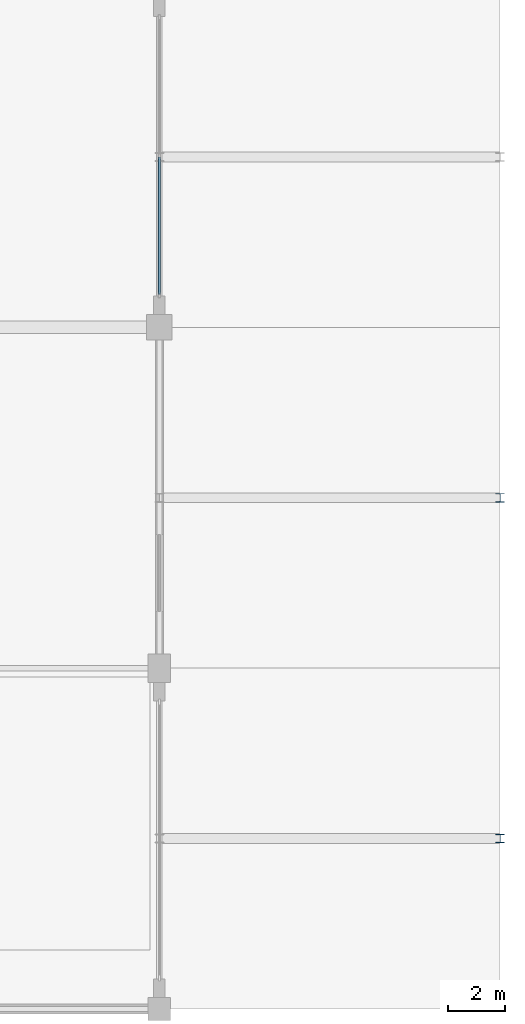
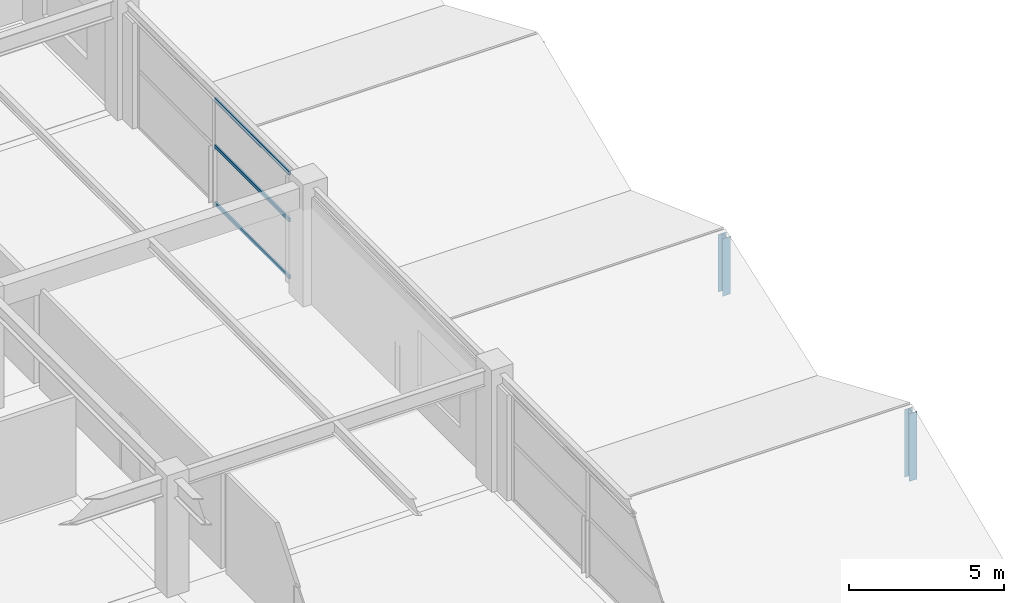
# One storey, part 39 of 134: 5 members, 1 element without a shape of its own.
"""IFC4 building model written with IfcOpenShell, lengths in metres."""

from ifc_helpers import new_model, si_unit, direction, frame, origin, origin_2d, place, context, subcontext, project, spatial, rectangle, i_section, extrude, material, layer, layer_set, material_profile, profile_set, type_object, element, aggregate, save


model = new_model("IFC4")

# Units and contexts
model_context = context("Model", 3, precision=1e-05, world=origin(), true_north=direction((0.0, 1.0)))
body_context = subcontext(model_context, "Body", "Model", "MODEL_VIEW")
ifc_project = project(units=[si_unit("LENGTHUNIT", "METRE"), si_unit("AREAUNIT", "SQUARE_METRE"), si_unit("VOLUMEUNIT", "CUBIC_METRE"), si_unit("PLANEANGLEUNIT", "RADIAN"), si_unit("MASSUNIT", "GRAM", prefix="KILO")], contexts=[model_context])

# Site, building, storey
site_placement = place(None, origin())
site = spatial("IfcSite", under=ifc_project, at=site_placement, CompositionType="ELEMENT")
building_placement = place(site_placement, origin())
building = spatial("IfcBuilding", under=site, at=building_placement, Name="Kazenohara Klinker Stadium", CompositionType="ELEMENT")
storey_placement = place(building_placement, frame((0.0, 0.0, 5.39990234375)))
storey = spatial("IfcBuildingStorey", under=building, at=storey_placement, Name="L01", CompositionType="ELEMENT", Elevation=5.39990234375)

# Curtain wall, members
ifc_material_1 = material(Name="Anodised aluminium and triple glazing", Category="aluminium")
ifc_layer = layer(ifc_material_1, 0.199951171875)
ifc_layer_set = layer_set([ifc_layer], Name="Anodised aluminium and triple glazing")
curtain_wall_type = type_object("IfcCurtainWallType", Name="CW-SYS-03", PredefinedType="USERDEFINED", material=ifc_layer_set)
curtain_wall_placement = place(storey_placement, origin())
curtain_wall = element("IfcCurtainWall", 1, at=curtain_wall_placement, inside=storey, type_object=curtain_wall_type, Name="Unitised facade curtain wall CW03 L01 Y17-5", ObjectType="UNITISED CURTAIN WALL", PredefinedType="USERDEFINED")
ifc_material_2 = material(Name="Anodised aluminium 6063-T6", Category="aluminium")
ifc_material_profile_1 = material_profile(ifc_material_2, rectangle(XDim=0.06494140625, YDim=0.139892578125, at=origin_2d()), Name="ALU-TRN-65x140")
ifc_profile_set_1 = profile_set([ifc_material_profile_1], Name="Anodised aluminium 6063-T6")
member_type_1 = type_object("IfcMemberType", Name="CW-TRN-140", PredefinedType="USERDEFINED", material=ifc_profile_set_1)
member_1_placement = place(storey_placement, frame((212.0, 61.1689453125, 0.03271484375), z_axis=(0.0, 1.0, 0.0), x_axis=(-1.0, 0.0, 0.0)))
member_1 = element("IfcMember", 2, at=member_1_placement, type_object=member_type_1, Name="CW03 transom 1.1", ObjectType="TRANSOM", PredefinedType="USERDEFINED", context=body_context, shape_type="SweptSolid", body=[
    extrude(rectangle(XDim=0.06494140625, YDim=0.139892578125, at=origin_2d()), origin(), (0.0, 0.0, 1.0), 4.823486328125),
])
member_2_placement = place(storey_placement, frame((212.0, 61.1689453125, 2.28271484375), z_axis=(0.0, 1.0, 0.0), x_axis=(-1.0, 0.0, 0.0)))
member_2 = element("IfcMember", 3, at=member_2_placement, type_object=member_type_1, Name="CW03 transom 1.2", ObjectType="TRANSOM", PredefinedType="USERDEFINED", context=body_context, shape_type="SweptSolid", body=[
    extrude(rectangle(XDim=0.06494140625, YDim=0.139892578125, at=origin_2d()), origin(), (0.0, 0.0, 1.0), 4.823486328125),
])
member_3_placement = place(storey_placement, frame((212.0, 61.1689453125, 4.11767578125), z_axis=(0.0, 1.0, 0.0), x_axis=(-1.0, 0.0, 0.0)))
member_3 = element("IfcMember", 4, at=member_3_placement, type_object=member_type_1, Name="CW03 transom 1.3", ObjectType="TRANSOM", PredefinedType="USERDEFINED", context=body_context, shape_type="SweptSolid", body=[
    extrude(rectangle(XDim=0.06494140625, YDim=0.139892578125, at=origin_2d()), origin(), (0.0, 0.0, 1.0), 4.823486328125),
])
aggregate(curtain_wall, [member_1, member_2, member_3])

# Members
ifc_material_3 = material(Name="Steel S355", Category="steel")
ifc_material_profile_2 = material_profile(ifc_material_3, i_section(OverallWidth=0.300048828125, OverallDepth=0.300048828125, WebThickness=0.010009765625, FlangeThickness=0.014892578125, FilletRadius=0.012939453125, at=origin_2d()), Name="H-300x300x10x15")
ifc_profile_set_2 = profile_set([ifc_material_profile_2], Name="Steel S355")
member_type_2 = type_object("IfcMemberType", Name="MEM-STR01", PredefinedType="STRUT", material=ifc_profile_set_2)
member_4_placement = place(storey_placement, frame((224.0, 42.0, -0.429931640625), z_axis=(0.0, 0.0, 1.0), x_axis=(1.0, 0.0, 0.0)))
element("IfcMember", 5, at=member_4_placement, inside=storey, type_object=member_type_2, Name="Stepped pavilion gable king-post L01 18/D E", PredefinedType="STRUT", context=body_context, shape_type="SweptSolid", body=[
    extrude(i_section(OverallWidth=0.300048828125, OverallDepth=0.300048828125, WebThickness=0.010009765625, FlangeThickness=0.014892578125, FilletRadius=0.012939453125, at=origin_2d()), origin(), (0.0, 0.0, 1.0), 2.659912109375),
])
member_5_placement = place(storey_placement, frame((224.0, 54.0, -0.429931640625), z_axis=(0.0, 0.0, 1.0), x_axis=(1.0, 0.0, 0.0)))
element("IfcMember", 6, at=member_5_placement, inside=storey, type_object=member_type_2, Name="Stepped pavilion gable king-post L01 18/E E", PredefinedType="STRUT", context=body_context, shape_type="SweptSolid", body=[
    extrude(i_section(OverallWidth=0.300048828125, OverallDepth=0.300048828125, WebThickness=0.010009765625, FlangeThickness=0.014892578125, FilletRadius=0.012939453125, at=origin_2d()), origin(), (0.0, 0.0, 1.0), 2.260009765625),
])

save(model, "model.ifc")
